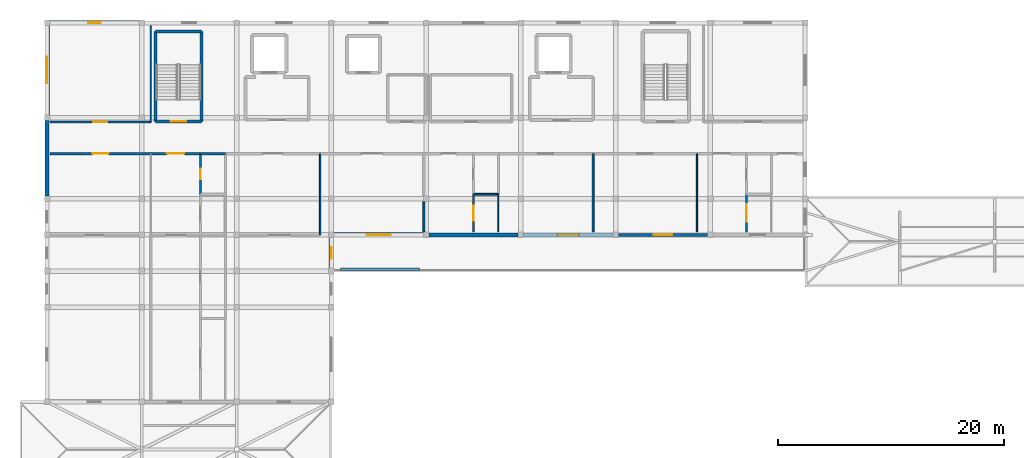
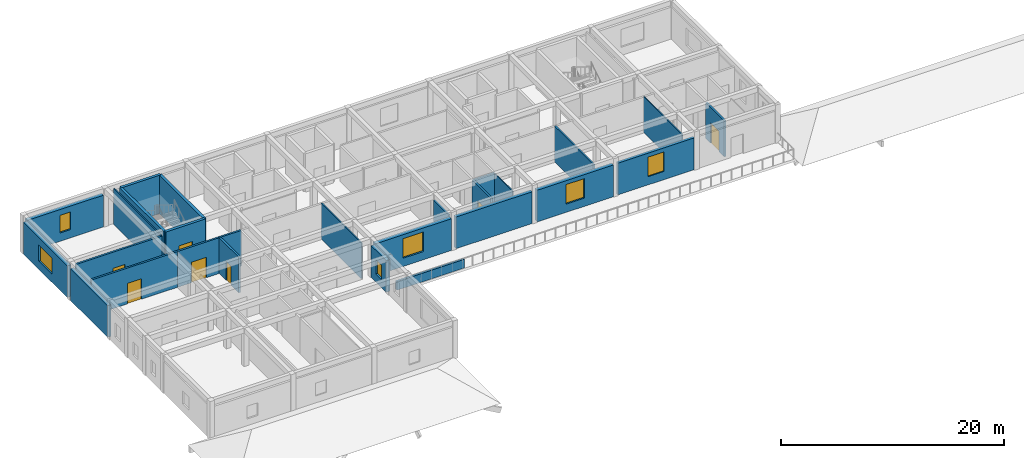
# One storey, part 11 of 26: 27 walls, 7 doors, 6 windows, 13 openings.
"""IFC4 building model written with IfcOpenShell, lengths in metres."""

from ifc_helpers import new_model, si_unit, direction, frame, frame_2d, origin, place, context, subcontext, project, spatial, rectangle, extrude, material, layer, layer_set, type_object, element, fill, save


model = new_model("IFC4")

# Units and contexts
model_context = context("Model", 3, precision=1e-05, world=origin(), true_north=direction((0.0, 1.0)))
body_context = subcontext(model_context, "Body", "Model", "MODEL_VIEW")
ifc_project = project(units=[si_unit("LENGTHUNIT", "METRE"), si_unit("AREAUNIT", "SQUARE_METRE"), si_unit("VOLUMEUNIT", "CUBIC_METRE"), si_unit("PLANEANGLEUNIT", "RADIAN"), si_unit("MASSUNIT", "GRAM", prefix="KILO")], contexts=[model_context])

# Site, building, storey
site_placement = place(None, origin())
site = spatial("IfcSite", under=ifc_project, at=site_placement, CompositionType="ELEMENT")
building_placement = place(site_placement, origin())
building = spatial("IfcBuilding", under=site, at=building_placement, Name="Varncliffe General Hospital", CompositionType="ELEMENT")
storey_placement = place(building_placement, frame((0.0, 0.0, 28.800048828125)))
storey = spatial("IfcBuildingStorey", under=building, at=storey_placement, Name="L06", CompositionType="ELEMENT", Elevation=28.800048828125)

# Wall, opening, window
ifc_material_1 = material(Name="Precast concrete C40/50 with insulated cream lime-cement stucco", Category="concrete")
ifc_layer_1 = layer(ifc_material_1, 0.3798828125)
ifc_layer_set_1 = layer_set([ifc_layer_1], Name="Precast concrete C40/50 with insulated cream lime-cement stucco")
wall_type_1 = type_object("IfcWallType", Name="Exterior Insulated Stucco Wall EW26 (380mm)", PredefinedType="SOLIDWALL", material=ifc_layer_set_1)
wall_1_placement = place(storey_placement, frame((0.248046875, 124.800048828125, 0.0), z_axis=(0.0, 0.0, 1.0), x_axis=(1.0, 0.0, 0.0)))
wall_1 = element("IfcWall", 1, at=wall_1_placement, inside=storey, type_object=wall_type_1, Name="L06 Exterior Stucco Wall EW26-484", PredefinedType="SOLIDWALL", context=body_context, shape_type="SweptSolid", body=[
    extrude(rectangle(XDim=7.904052734375, YDim=0.3798828125, at=frame_2d((3.9521484375, 0.0))), origin(), (0.0, 0.0, 1.0), 3.47998046875),
])
opening_1_placement = place(wall_1_placement, frame((3.402099609375, 0.0, 0.89990234375)))
opening_1 = element("IfcOpeningElement", 2, at=opening_1_placement, cuts=wall_1, Name="Opening WN41", PredefinedType="OPENING", context=body_context, shape_type="SweptSolid", body=[
    extrude(rectangle(XDim=1.10009765625, YDim=1.949951171875, at=frame_2d((0.550048828125, 0.97509765625))), frame((0.0, 0.199951171875, 0.0), z_axis=(0.0, -1.0, 0.0), x_axis=(1.0, 0.0, 0.0)), (0.0, 0.0, 1.0), 0.39990234375),
])
ifc_material_2 = material(Name="Triple low-E argon insulated vision glazing", Category="glass")
window_type_1 = type_object("IfcWindowType", Name="Triple-Glazed Hospital Window WN41 (1100x1950)", PartitioningType="SINGLE_PANEL", PredefinedType="WINDOW", material=ifc_material_2)
window_1_placement = place(opening_1_placement, origin())
window_1 = element("IfcWindow", 3, at=window_1_placement, inside=storey, type_object=window_type_1, Name="L06 Hospital Window WN41-376", OverallHeight=1.949951171875, OverallWidth=1.10009765625, PartitioningType="SINGLE_PANEL", PredefinedType="WINDOW", context=body_context, shape_type="SweptSolid", body=[
    extrude(rectangle(XDim=1.10009765625, YDim=1.949951171875, at=frame_2d((0.550048828125, 0.97509765625))), frame((0.0, 0.030029296875, 0.0), z_axis=(0.0, -1.0, 0.0), x_axis=(1.0, 0.0, 0.0)), (0.0, 0.0, 1.0), 0.06005859375),
])
fill(opening_1, window_1)

wall_2_placement = place(storey_placement, frame((50.152099609375, 106.0, 0.0), z_axis=(0.0, 0.0, 1.0), x_axis=(-1.0, 0.0, 0.0)))
wall_2 = element("IfcWall", 4, at=wall_2_placement, inside=storey, type_object=wall_type_1, Name="L06 Exterior Stucco Wall EW26-497", PredefinedType="SOLIDWALL", context=body_context, shape_type="SweptSolid", body=[
    extrude(rectangle(XDim=7.904052734375, YDim=0.3798828125, at=frame_2d((3.9521484375, 0.0))), origin(), (0.0, 0.0, 1.0), 3.47998046875),
])
opening_2_placement = place(wall_2_placement, frame((3.001953125, 0.0, 0.89990234375)))
opening_2 = element("IfcOpeningElement", 5, at=opening_2_placement, cuts=wall_2, Name="Opening WN15", PredefinedType="OPENING", context=body_context, shape_type="SweptSolid", body=[
    extrude(rectangle(XDim=1.89990234375, YDim=2.14990234375, at=frame_2d((0.949951171875, 1.074951171875))), frame((0.0, 0.199951171875, 0.0), z_axis=(0.0, -1.0, 0.0), x_axis=(1.0, 0.0, 0.0)), (0.0, 0.0, 1.0), 0.39990234375),
])
window_type_2 = type_object("IfcWindowType", Name="Triple-Glazed Hospital Window WN15 (1900x2150)", PartitioningType="DOUBLE_PANEL_VERTICAL", PredefinedType="WINDOW", material=ifc_material_2)
window_2_placement = place(opening_2_placement, origin())
window_2 = element("IfcWindow", 6, at=window_2_placement, inside=storey, type_object=window_type_2, Name="L06 Hospital Window WN15-388", OverallHeight=2.14990234375, OverallWidth=1.89990234375, PartitioningType="DOUBLE_PANEL_VERTICAL", PredefinedType="WINDOW", context=body_context, shape_type="SweptSolid", body=[
    extrude(rectangle(XDim=1.89990234375, YDim=2.14990234375, at=frame_2d((0.949951171875, 1.074951171875))), frame((0.0, 0.030029296875, 0.0), z_axis=(0.0, -1.0, 0.0), x_axis=(1.0, 0.0, 0.0)), (0.0, 0.0, 1.0), 0.06005859375),
])
fill(opening_2, window_2)

wall_3_placement = place(storey_placement, frame((25.199951171875, 105.751953125, 0.0), z_axis=(0.0, 0.0, 1.0), x_axis=(0.0, -1.0, 0.0)))
wall_3 = element("IfcWall", 7, at=wall_3_placement, inside=storey, type_object=wall_type_1, Name="L06 Exterior Stucco Wall EW26-500", PredefinedType="SOLIDWALL", context=body_context, shape_type="SweptSolid", body=[
    extrude(rectangle(XDim=2.703857421875, YDim=0.3798828125, at=frame_2d((1.35205078125, 0.0))), origin(), (0.0, 0.0, 1.0), 3.47998046875),
])
opening_3_placement = place(wall_3_placement, frame((0.85205078125, 0.0, 0.89990234375)))
opening_3 = element("IfcOpeningElement", 8, at=opening_3_placement, cuts=wall_3, Name="Opening WN21", PredefinedType="OPENING", context=body_context, shape_type="SweptSolid", body=[
    extrude(rectangle(XDim=1.0, YDim=1.550048828125, at=frame_2d((0.5, 0.77490234375))), frame((0.0, 0.199951171875, 0.0), z_axis=(0.0, -1.0, 0.0), x_axis=(1.0, 0.0, 0.0)), (0.0, 0.0, 1.0), 0.39990234375),
])
window_type_3 = type_object("IfcWindowType", Name="Triple-Glazed Hospital Window WN21 (1000x1550)", PartitioningType="SINGLE_PANEL", PredefinedType="WINDOW", material=ifc_material_2)
window_3_placement = place(opening_3_placement, origin())
window_3 = element("IfcWindow", 9, at=window_3_placement, inside=storey, type_object=window_type_3, Name="L06 Hospital Window WN21-390", OverallHeight=1.550048828125, OverallWidth=1.0, PartitioningType="SINGLE_PANEL", PredefinedType="WINDOW", context=body_context, shape_type="SweptSolid", body=[
    extrude(rectangle(XDim=1.0, YDim=1.550048828125, at=frame_2d((0.5, 0.77490234375))), frame((0.0, 0.030029296875, 0.0), z_axis=(0.0, -1.0, 0.0), x_axis=(1.0, 0.0, 0.0)), (0.0, 0.0, 1.0), 0.06005859375),
])
fill(opening_3, window_3)

ifc_layer_2 = layer(ifc_material_1, 0.2900390625)
ifc_layer_set_2 = layer_set([ifc_layer_2], Name="Precast concrete C40/50 with insulated cream lime-cement stucco")
wall_type_2 = type_object("IfcWallType", Name="Exterior Insulated Stucco Wall EW31 (290mm)", PredefinedType="SOLIDWALL", material=ifc_layer_set_2)
wall_4_placement = place(storey_placement, frame((58.552001953125, 106.0, 0.0), z_axis=(0.0, 0.0, 1.0), x_axis=(-1.0, 0.0, 0.0)))
wall_4 = element("IfcWall", 10, at=wall_4_placement, inside=storey, type_object=wall_type_2, Name="L06 Exterior Stucco Wall EW31-496", PredefinedType="SOLIDWALL", context=body_context, shape_type="SweptSolid", body=[
    extrude(rectangle(XDim=7.904052734375, YDim=0.2900390625, at=frame_2d((3.9521484375, 0.0))), origin(), (0.0, 0.0, 1.0), 3.47998046875),
])
opening_4_placement = place(wall_4_placement, frame((3.126953125, 0.0, 0.89990234375)))
opening_4 = element("IfcOpeningElement", 11, at=opening_4_placement, cuts=wall_4, Name="Opening WN42", PredefinedType="OPENING", context=body_context, shape_type="SweptSolid", body=[
    extrude(rectangle(XDim=1.64990234375, YDim=2.14990234375, at=frame_2d((0.824951171875, 1.074951171875))), frame((0.0, 0.155029296875, 0.0), z_axis=(0.0, -1.0, 0.0), x_axis=(1.0, 0.0, 0.0)), (0.0, 0.0, 1.0), 0.31005859375),
])
window_type_4 = type_object("IfcWindowType", Name="Triple-Glazed Hospital Window WN42 (1650x2150)", PartitioningType="DOUBLE_PANEL_VERTICAL", PredefinedType="WINDOW", material=ifc_material_2)
window_4_placement = place(opening_4_placement, origin())
window_4 = element("IfcWindow", 12, at=window_4_placement, inside=storey, type_object=window_type_4, Name="L06 Hospital Window WN42-387", OverallHeight=2.14990234375, OverallWidth=1.64990234375, PartitioningType="DOUBLE_PANEL_VERTICAL", PredefinedType="WINDOW", context=body_context, shape_type="SweptSolid", body=[
    extrude(rectangle(XDim=1.64990234375, YDim=2.14990234375, at=frame_2d((0.824951171875, 1.074951171875))), frame((0.0, 0.030029296875, 0.0), z_axis=(0.0, -1.0, 0.0), x_axis=(1.0, 0.0, 0.0)), (0.0, 0.0, 1.0), 0.06005859375),
])
fill(opening_4, window_4)

# Walls
ifc_layer_3 = layer(ifc_material_1, 0.35009765625)
ifc_layer_set_3 = layer_set([ifc_layer_3], Name="Precast concrete C40/50 with insulated cream lime-cement stucco")
wall_type_3 = type_object("IfcWallType", Name="Exterior Insulated Stucco Wall EW37 (350mm)", PredefinedType="SOLIDWALL", material=ifc_layer_set_3)
wall_5_placement = place(storey_placement, frame((0.0, 109.447998046875, 0.0), z_axis=(0.0, 0.0, 1.0), x_axis=(0.0, 1.0, 0.0)))
element("IfcWall", 13, at=wall_5_placement, inside=storey, type_object=wall_type_3, Name="L06 Exterior Stucco Wall EW37-482", PredefinedType="SOLIDWALL", context=body_context, shape_type="SweptSolid", body=[
    extrude(rectangle(XDim=6.7041015625, YDim=0.35009765625, at=frame_2d((3.35205078125, 0.0))), origin(), (0.0, 0.0, 1.0), 3.47998046875),
])
wall_6_placement = place(storey_placement, frame((41.751953125, 106.0, 0.0), z_axis=(0.0, 0.0, 1.0), x_axis=(-1.0, 0.0, 0.0)))
element("IfcWall", 14, at=wall_6_placement, inside=storey, type_object=wall_type_3, Name="L06 Exterior Stucco Wall EW37-498", PredefinedType="SOLIDWALL", context=body_context, shape_type="SweptSolid", body=[
    extrude(rectangle(XDim=7.904052734375, YDim=0.35009765625, at=frame_2d((3.9521484375, 0.0))), origin(), (0.0, 0.0, 1.0), 3.47998046875),
])

# Wall, opening, window
ifc_layer_4 = layer(ifc_material_1, 0.39990234375)
ifc_layer_set_4 = layer_set([ifc_layer_4], Name="Precast concrete C40/50 with insulated cream lime-cement stucco")
wall_type_4 = type_object("IfcWallType", Name="Exterior Insulated Stucco Wall EW47 (400mm)", PredefinedType="SOLIDWALL", material=ifc_layer_set_4)
wall_7_placement = place(storey_placement, frame((0.0, 116.64794921875, 0.0), z_axis=(0.0, 0.0, 1.0), x_axis=(0.0, 1.0, 0.0)))
wall_7 = element("IfcWall", 15, at=wall_7_placement, inside=storey, type_object=wall_type_4, Name="L06 Exterior Stucco Wall EW47-483", PredefinedType="SOLIDWALL", context=body_context, shape_type="SweptSolid", body=[
    extrude(rectangle(XDim=7.904052734375, YDim=0.39990234375, at=frame_2d((3.9521484375, 0.0))), origin(), (0.0, 0.0, 1.0), 3.47998046875),
])
opening_5_placement = place(wall_7_placement, frame((2.777099609375, 0.0, 0.89990234375)))
opening_5 = element("IfcOpeningElement", 16, at=opening_5_placement, cuts=wall_7, Name="Opening WN31", PredefinedType="OPENING", context=body_context, shape_type="SweptSolid", body=[
    extrude(rectangle(XDim=2.35009765625, YDim=1.75, at=frame_2d((1.175048828125, 0.875))), frame((0.0, 0.2099609375, 0.0), z_axis=(0.0, -1.0, 0.0), x_axis=(1.0, 0.0, 0.0)), (0.0, 0.0, 1.0), 0.419921875),
])
window_type_5 = type_object("IfcWindowType", Name="Triple-Glazed Hospital Window WN31 (2350x1750)", PartitioningType="DOUBLE_PANEL_VERTICAL", PredefinedType="WINDOW", material=ifc_material_2)
window_5_placement = place(opening_5_placement, origin())
window_5 = element("IfcWindow", 17, at=window_5_placement, inside=storey, type_object=window_type_5, Name="L06 Hospital Window WN31-375", OverallHeight=1.75, OverallWidth=2.35009765625, PartitioningType="DOUBLE_PANEL_VERTICAL", PredefinedType="WINDOW", context=body_context, shape_type="SweptSolid", body=[
    extrude(rectangle(XDim=2.35009765625, YDim=1.75, at=frame_2d((1.175048828125, 0.875))), frame((0.0, 0.030029296875, 0.0), z_axis=(0.0, -1.0, 0.0), x_axis=(1.0, 0.0, 0.0)), (0.0, 0.0, 1.0), 0.06005859375),
])
fill(opening_5, window_5)

wall_8_placement = place(storey_placement, frame((33.35205078125, 106.0, 0.0), z_axis=(0.0, 0.0, 1.0), x_axis=(-1.0, 0.0, 0.0)))
wall_8 = element("IfcWall", 18, at=wall_8_placement, inside=storey, type_object=wall_type_4, Name="L06 Exterior Stucco Wall EW47-499", PredefinedType="SOLIDWALL", context=body_context, shape_type="SweptSolid", body=[
    extrude(rectangle(XDim=7.904052734375, YDim=0.39990234375, at=frame_2d((3.9521484375, 0.0))), origin(), (0.0, 0.0, 1.0), 3.47998046875),
])
opening_6_placement = place(wall_8_placement, frame((2.876953125, 0.0, 0.89990234375)))
opening_6 = element("IfcOpeningElement", 19, at=opening_6_placement, cuts=wall_8, Name="Opening WN57", PredefinedType="OPENING", context=body_context, shape_type="SweptSolid", body=[
    extrude(rectangle(XDim=2.14990234375, YDim=2.14990234375, at=frame_2d((1.074951171875, 1.074951171875))), frame((0.0, 0.2099609375, 0.0), z_axis=(0.0, -1.0, 0.0), x_axis=(1.0, 0.0, 0.0)), (0.0, 0.0, 1.0), 0.419921875),
])
window_type_6 = type_object("IfcWindowType", Name="Triple-Glazed Hospital Window WN57 (2150x2150)", PartitioningType="DOUBLE_PANEL_VERTICAL", PredefinedType="WINDOW", material=ifc_material_2)
window_6_placement = place(opening_6_placement, origin())
window_6 = element("IfcWindow", 20, at=window_6_placement, inside=storey, type_object=window_type_6, Name="L06 Hospital Window WN57-389", OverallHeight=2.14990234375, OverallWidth=2.14990234375, PartitioningType="DOUBLE_PANEL_VERTICAL", PredefinedType="WINDOW", context=body_context, shape_type="SweptSolid", body=[
    extrude(rectangle(XDim=2.14990234375, YDim=2.14990234375, at=frame_2d((1.074951171875, 1.074951171875))), frame((0.0, 0.030029296875, 0.0), z_axis=(0.0, -1.0, 0.0), x_axis=(1.0, 0.0, 0.0)), (0.0, 0.0, 1.0), 0.06005859375),
])
fill(opening_6, window_6)

# Walls
ifc_material_3 = material(Name="Acoustic clinical gypsum stud partition assembly", Category="gypsum")
ifc_layer_5 = layer(ifc_material_3, 0.1298828125)
ifc_layer_set_5 = layer_set([ifc_layer_5], Name="Acoustic clinical gypsum stud partition assembly")
wall_type_5 = type_object("IfcWallType", Name="Interior Partitioning IW11 (130mm)", PredefinedType="PARTITIONING", material=ifc_layer_set_5)
wall_9_placement = place(storey_placement, frame((24.199951171875, 106.0, 0.0), z_axis=(0.0, 0.0, 1.0), x_axis=(0.0, 1.0, 0.0)))
element("IfcWall", 21, at=wall_9_placement, inside=storey, type_object=wall_type_5, Name="L06 Interior Partition Wall IW11-2273", PredefinedType="PARTITIONING", context=body_context, shape_type="SweptSolid", body=[
    extrude(rectangle(XDim=7.199951171875, YDim=0.1298828125, at=frame_2d((3.60009765625, 0.0))), origin(), (0.0, 0.0, 1.0), 3.919921875),
])
ifc_layer_6 = layer(ifc_material_3, 0.169921875)
ifc_layer_set_6 = layer_set([ifc_layer_6], Name="Acoustic clinical gypsum stud partition assembly")
wall_type_6 = type_object("IfcWallType", Name="Interior Partitioning IW20 (170mm)", PredefinedType="PARTITIONING", material=ifc_layer_set_6)
wall_10_placement = place(storey_placement, frame((33.39990234375, 106.264892578125, 0.0), z_axis=(0.0, 0.0, 1.0), x_axis=(0.0, 1.0, 0.0)))
element("IfcWall", 22, at=wall_10_placement, inside=storey, type_object=wall_type_6, Name="L06 Interior Partition Wall IW20-2276", PredefinedType="PARTITIONING", context=body_context, shape_type="SweptSolid", body=[
    extrude(rectangle(XDim=2.670166015625, YDim=0.169921875, at=frame_2d((1.3349609375, 0.0))), origin(), (0.0, 0.0, 1.0), 3.635009765625),
])
wall_11_placement = place(storey_placement, frame((48.39990234375, 106.260009765625, 0.0), z_axis=(0.0, 0.0, 1.0), x_axis=(0.0, 1.0, 0.0)))
element("IfcWall", 23, at=wall_11_placement, inside=storey, type_object=wall_type_6, Name="L06 Interior Partition Wall IW20-2285", PredefinedType="PARTITIONING", context=body_context, shape_type="SweptSolid", body=[
    extrude(rectangle(XDim=6.93994140625, YDim=0.169921875, at=frame_2d((3.469970703125, 0.0))), origin(), (0.0, 0.0, 1.0), 3.919921875),
])
ifc_layer_7 = layer(ifc_material_3, 0.090087890625)
ifc_layer_set_7 = layer_set([ifc_layer_7], Name="Acoustic clinical gypsum stud partition assembly")
wall_type_7 = type_object("IfcWallType", Name="Interior Partitioning IW42 (90mm)", PredefinedType="PARTITIONING", material=ifc_layer_set_7)
wall_12_placement = place(storey_placement, frame((40.0, 106.260009765625, 0.0), z_axis=(0.0, 0.0, 1.0), x_axis=(0.0, 1.0, 0.0)))
element("IfcWall", 24, at=wall_12_placement, inside=storey, type_object=wall_type_7, Name="L06 Interior Partition Wall IW42-2281", PredefinedType="PARTITIONING", context=body_context, shape_type="SweptSolid", body=[
    extrude(rectangle(XDim=3.340087890625, YDim=0.090087890625, at=frame_2d((1.669921875, 0.0))), origin(), (0.0, 0.0, 1.0), 3.919921875),
])
ifc_layer_8 = layer(ifc_material_3, 0.110107421875)
ifc_layer_set_8 = layer_set([ifc_layer_8], Name="Acoustic clinical gypsum stud partition assembly")
wall_type_8 = type_object("IfcWallType", Name="Interior Partitioning IW65 (110mm)", PredefinedType="PARTITIONING", material=ifc_layer_set_8)
wall_13_placement = place(storey_placement, frame((9.199951171875, 116.0, 0.0), z_axis=(0.0, 0.0, 1.0), x_axis=(0.0, 1.0, 0.0)))
element("IfcWall", 25, at=wall_13_placement, inside=storey, type_object=wall_type_8, Name="L06 Interior Partition Wall IW65-2262", PredefinedType="PARTITIONING", context=body_context, shape_type="SweptSolid", body=[
    extrude(rectangle(XDim=8.5400390625, YDim=0.110107421875, at=frame_2d((4.27001953125, 0.0))), origin(), (0.0, 0.0, 1.0), 3.919921875),
])
wall_14_placement = place(storey_placement, frame((57.60009765625, 106.260009765625, 0.0), z_axis=(0.0, 0.0, 1.0), x_axis=(0.0, 1.0, 0.0)))
element("IfcWall", 26, at=wall_14_placement, inside=storey, type_object=wall_type_8, Name="L06 Interior Partition Wall IW65-2287", PredefinedType="PARTITIONING", context=body_context, shape_type="SweptSolid", body=[
    extrude(rectangle(XDim=6.93994140625, YDim=0.110107421875, at=frame_2d((3.469970703125, 0.0))), origin(), (0.0, 0.0, 1.0), 3.919921875),
])

# Wall, opening, door
ifc_material_4 = material(Name="Fire-rated gypsum and mineral-wool partition assembly", Category="gypsum")
ifc_layer_9 = layer(ifc_material_4, 0.199951171875)
ifc_layer_set_9 = layer_set([ifc_layer_9], Name="Fire-rated gypsum and mineral-wool partition assembly")
wall_type_9 = type_object("IfcWallType", Name="Interior Partitioning PW63 (200mm)", PredefinedType="PARTITIONING", material=ifc_layer_set_9)
wall_15_placement = place(storey_placement, frame((0.260009765625, 113.199951171875, 0.0), z_axis=(0.0, 0.0, 1.0), x_axis=(1.0, 0.0, 0.0)))
wall_15 = element("IfcWall", 27, at=wall_15_placement, inside=storey, type_object=wall_type_9, Name="L06 Interior Partition Wall PW63-2212", PredefinedType="PARTITIONING", context=body_context, shape_type="SweptSolid", body=[
    extrude(rectangle(XDim=8.93994140625, YDim=0.199951171875, at=frame_2d((4.469970703125, 0.0))), origin(), (0.0, 0.0, 1.0), 3.919921875),
])
opening_7_placement = place(wall_15_placement, frame((3.7451171875, 0.0, 0.0)))
opening_7 = element("IfcOpeningElement", 28, at=opening_7_placement, cuts=wall_15, Name="Opening DC66", PredefinedType="OPENING", context=body_context, shape_type="SweptSolid", body=[
    extrude(rectangle(XDim=1.449951171875, YDim=2.25, at=frame_2d((0.72509765625, 1.125))), frame((0.0, 0.10986328125, 0.0), z_axis=(0.0, -1.0, 0.0), x_axis=(1.0, 0.0, 0.0)), (0.0, 0.0, 1.0), 0.219970703125),
])
ifc_material_5 = material(Name="Fire-rated hospital steel-frame vision-panel door", Category="steel")
door_type_1 = type_object("IfcDoorType", Name="Interior Hospital Door DC66 (1450x2250)", OperationType="NOTDEFINED", PredefinedType="DOOR", material=ifc_material_5)
door_1_placement = place(opening_7_placement, frame((1.449951171875, 0.0, 0.0), z_axis=(0.0, 0.0, 1.0), x_axis=(-1.0, 0.0, 0.0)))
door_1 = element("IfcDoor", 29, at=door_1_placement, inside=storey, type_object=door_type_1, Name="L06 Neonatal Intensive Care Nursery NICU 17 Door", OperationType="SINGLE_SWING_LEFT", OverallHeight=2.25, OverallWidth=1.449951171875, PredefinedType="DOOR", context=body_context, shape_type="SweptSolid", body=[
    extrude(rectangle(XDim=1.449951171875, YDim=2.25, at=frame_2d((0.72509765625, 1.125))), frame((0.0, 0.02490234375, 0.0), z_axis=(0.0, -1.0, 0.0), x_axis=(1.0, 0.0, 0.0)), (0.0, 0.0, 1.0), 0.050048828125),
])
fill(opening_7, door_1)

wall_16_placement = place(storey_placement, frame((9.199951171875, 113.199951171875, 0.0), z_axis=(0.0, 0.0, 1.0), x_axis=(1.0, 0.0, 0.0)))
wall_16 = element("IfcWall", 30, at=wall_16_placement, inside=storey, type_object=wall_type_9, Name="L06 Interior Partition Wall PW63-2213", PredefinedType="PARTITIONING", context=body_context, shape_type="SweptSolid", body=[
    extrude(rectangle(XDim=4.400146484375, YDim=0.199951171875, at=frame_2d((2.2001953125, 0.0))), origin(), (0.0, 0.0, 1.0), 3.919921875),
])
opening_8_placement = place(wall_16_placement, frame((1.425048828125, 0.0, 0.0)))
opening_8 = element("IfcOpeningElement", 31, at=opening_8_placement, cuts=wall_16, Name="Opening DC67", PredefinedType="OPENING", context=body_context, shape_type="SweptSolid", body=[
    extrude(rectangle(XDim=1.550048828125, YDim=2.25, at=frame_2d((0.77490234375, 1.125))), frame((0.0, 0.10986328125, 0.0), z_axis=(0.0, -1.0, 0.0), x_axis=(1.0, 0.0, 0.0)), (0.0, 0.0, 1.0), 0.219970703125),
])
door_type_2 = type_object("IfcDoorType", Name="Interior Hospital Door DC67 (1550x2250)", OperationType="NOTDEFINED", PredefinedType="DOOR", material=ifc_material_5)
door_2_placement = place(opening_8_placement, frame((1.550048828125, 0.0, 0.0), z_axis=(0.0, 0.0, 1.0), x_axis=(-1.0, 0.0, 0.0)))
door_2 = element("IfcDoor", 32, at=door_2_placement, inside=storey, type_object=door_type_2, Name="L06 Paediatric Inpatient Bedroom 18 Door", OperationType="SINGLE_SWING_RIGHT", OverallHeight=2.25, OverallWidth=1.550048828125, PredefinedType="DOOR", context=body_context, shape_type="SweptSolid", body=[
    extrude(rectangle(XDim=1.550048828125, YDim=2.25, at=frame_2d((0.77490234375, 1.125))), frame((0.0, 0.02490234375, 0.0), z_axis=(0.0, -1.0, 0.0), x_axis=(1.0, 0.0, 0.0)), (0.0, 0.0, 1.0), 0.050048828125),
])
fill(opening_8, door_2)

wall_17_placement = place(storey_placement, frame((0.260009765625, 116.0, 0.0), z_axis=(0.0, 0.0, 1.0), x_axis=(1.0, 0.0, 0.0)))
wall_17 = element("IfcWall", 33, at=wall_17_placement, inside=storey, type_object=wall_type_9, Name="L06 Interior Partition Wall PW63-2236", PredefinedType="PARTITIONING", context=body_context, shape_type="SweptSolid", body=[
    extrude(rectangle(XDim=8.93994140625, YDim=0.199951171875, at=frame_2d((4.469970703125, 0.0))), origin(), (0.0, 0.0, 1.0), 3.919921875),
])
opening_9_placement = place(wall_17_placement, frame((3.844970703125, 0.0, 0.0)))
opening_9 = element("IfcOpeningElement", 34, at=opening_9_placement, cuts=wall_17, Name="Opening DC44", PredefinedType="OPENING", context=body_context, shape_type="SweptSolid", body=[
    extrude(rectangle(XDim=1.25, YDim=2.14990234375, at=frame_2d((0.625, 1.074951171875))), frame((0.0, 0.10986328125, 0.0), z_axis=(0.0, -1.0, 0.0), x_axis=(1.0, 0.0, 0.0)), (0.0, 0.0, 1.0), 0.219970703125),
])
door_type_3 = type_object("IfcDoorType", Name="Interior Hospital Door DC44 (1250x2150)", OperationType="NOTDEFINED", PredefinedType="DOOR", material=ifc_material_5)
door_3_placement = place(opening_9_placement, origin())
door_3 = element("IfcDoor", 35, at=door_3_placement, inside=storey, type_object=door_type_3, Name="L06 Neonatal Intensive Care Nursery NICU 47 Door", OperationType="SINGLE_SWING_LEFT", OverallHeight=2.14990234375, OverallWidth=1.25, PredefinedType="DOOR", context=body_context, shape_type="SweptSolid", body=[
    extrude(rectangle(XDim=1.25, YDim=2.14990234375, at=frame_2d((0.625, 1.074951171875))), frame((0.0, 0.02490234375, 0.0), z_axis=(0.0, -1.0, 0.0), x_axis=(1.0, 0.0, 0.0)), (0.0, 0.0, 1.0), 0.050048828125),
])
fill(opening_9, door_3)

wall_18_placement = place(storey_placement, frame((13.60009765625, 109.60009765625, 0.0), z_axis=(0.0, 0.0, 1.0), x_axis=(0.0, 1.0, 0.0)))
wall_18 = element("IfcWall", 36, at=wall_18_placement, inside=storey, type_object=wall_type_9, Name="L06 Interior Partition Wall PW63-2266", PredefinedType="PARTITIONING", context=body_context, shape_type="SweptSolid", body=[
    extrude(rectangle(XDim=3.599853515625, YDim=0.199951171875, at=frame_2d((1.7998046875, 0.0))), origin(), (0.0, 0.0, 1.0), 3.919921875),
])
opening_10_placement = place(wall_18_placement, frame((1.340087890625, 0.0, 0.0)))
opening_10 = element("IfcOpeningElement", 37, at=opening_10_placement, cuts=wall_18, Name="Opening DI70", PredefinedType="OPENING", context=body_context, shape_type="SweptSolid", body=[
    extrude(rectangle(XDim=0.919921875, YDim=2.10009765625, at=frame_2d((0.4599609375, 1.050048828125))), frame((0.0, 0.10986328125, 0.0), z_axis=(0.0, -1.0, 0.0), x_axis=(1.0, 0.0, 0.0)), (0.0, 0.0, 1.0), 0.219970703125),
])
ifc_material_6 = material(Name="Solid-core antimicrobial hospital oak veneer door", Category="wood")
door_type_4 = type_object("IfcDoorType", Name="Interior Hospital Door DI70 (920x2100)", OperationType="NOTDEFINED", PredefinedType="DOOR", material=ifc_material_6)
door_4_placement = place(opening_10_placement, frame((0.919921875, 0.0, 0.0), z_axis=(0.0, 0.0, 1.0), x_axis=(-1.0, 0.0, 0.0)))
door_4 = element("IfcDoor", 38, at=door_4_placement, inside=storey, type_object=door_type_4, Name="L06 En-Suite Bathroom 19 Door", OperationType="SINGLE_SWING_RIGHT", OverallHeight=2.10009765625, OverallWidth=0.919921875, PredefinedType="DOOR", context=body_context, shape_type="SweptSolid", body=[
    extrude(rectangle(XDim=0.919921875, YDim=2.10009765625, at=frame_2d((0.4599609375, 1.050048828125))), frame((0.0, 0.02490234375, 0.0), z_axis=(0.0, -1.0, 0.0), x_axis=(1.0, 0.0, 0.0)), (0.0, 0.0, 1.0), 0.050048828125),
])
fill(opening_10, door_4)

wall_19_placement = place(storey_placement, frame((37.800048828125, 106.260009765625, 0.0), z_axis=(0.0, 0.0, 1.0), x_axis=(0.0, 1.0, 0.0)))
wall_19 = element("IfcWall", 39, at=wall_19_placement, inside=storey, type_object=wall_type_9, Name="L06 Interior Partition Wall PW63-2279", PredefinedType="PARTITIONING", context=body_context, shape_type="SweptSolid", body=[
    extrude(rectangle(XDim=3.340087890625, YDim=0.199951171875, at=frame_2d((1.669921875, 0.0))), origin(), (0.0, 0.0, 1.0), 3.919921875),
])
opening_11_placement = place(wall_19_placement, frame((0.9951171875, 0.0, 0.0)))
opening_11 = element("IfcOpeningElement", 40, at=opening_11_placement, cuts=wall_19, Name="Opening DC85", PredefinedType="OPENING", context=body_context, shape_type="SweptSolid", body=[
    extrude(rectangle(XDim=1.35009765625, YDim=2.199951171875, at=frame_2d((0.675048828125, 1.10009765625))), frame((0.0, 0.10986328125, 0.0), z_axis=(0.0, -1.0, 0.0), x_axis=(1.0, 0.0, 0.0)), (0.0, 0.0, 1.0), 0.219970703125),
])
door_type_5 = type_object("IfcDoorType", Name="Interior Hospital Door DC85 (1350x2200)", OperationType="NOTDEFINED", PredefinedType="DOOR", material=ifc_material_5)
door_5_placement = place(opening_11_placement, frame((1.35009765625, 0.0, 0.0), z_axis=(0.0, 0.0, 1.0), x_axis=(-1.0, 0.0, 0.0)))
door_5 = element("IfcDoor", 41, at=door_5_placement, inside=storey, type_object=door_type_5, Name="L06 Patient Medication and Hygiene Bay 25 Door", OperationType="SINGLE_SWING_LEFT", OverallHeight=2.199951171875, OverallWidth=1.35009765625, PredefinedType="DOOR", context=body_context, shape_type="SweptSolid", body=[
    extrude(rectangle(XDim=1.35009765625, YDim=2.199951171875, at=frame_2d((0.675048828125, 1.10009765625))), frame((0.0, 0.02490234375, 0.0), z_axis=(0.0, -1.0, 0.0), x_axis=(1.0, 0.0, 0.0)), (0.0, 0.0, 1.0), 0.050048828125),
])
fill(opening_11, door_5)

wall_20_placement = place(storey_placement, frame((62.0, 106.260009765625, 0.0), z_axis=(0.0, 0.0, 1.0), x_axis=(0.0, 1.0, 0.0)))
wall_20 = element("IfcWall", 42, at=wall_20_placement, inside=storey, type_object=wall_type_9, Name="L06 Interior Partition Wall PW63-2289", PredefinedType="PARTITIONING", context=body_context, shape_type="SweptSolid", body=[
    extrude(rectangle(XDim=3.340087890625, YDim=0.199951171875, at=frame_2d((1.669921875, 0.0))), origin(), (0.0, 0.0, 1.0), 3.919921875),
])
opening_12_placement = place(wall_20_placement, frame((0.89501953125, 0.0, 0.0)))
opening_12 = element("IfcOpeningElement", 43, at=opening_12_placement, cuts=wall_20, Name="Opening DC67", PredefinedType="OPENING", context=body_context, shape_type="SweptSolid", body=[
    extrude(rectangle(XDim=1.550048828125, YDim=2.25, at=frame_2d((0.77490234375, 1.125))), frame((0.0, 0.10986328125, 0.0), z_axis=(0.0, -1.0, 0.0), x_axis=(1.0, 0.0, 0.0)), (0.0, 0.0, 1.0), 0.219970703125),
])
door_6_placement = place(opening_12_placement, frame((1.550048828125, 0.0, 0.0), z_axis=(0.0, 0.0, 1.0), x_axis=(-1.0, 0.0, 0.0)))
door_6 = element("IfcDoor", 44, at=door_6_placement, inside=storey, type_object=door_type_2, Name="L06 Patient Medication and Hygiene Bay 30 Door", OperationType="SINGLE_SWING_LEFT", OverallHeight=2.25, OverallWidth=1.550048828125, PredefinedType="DOOR", context=body_context, shape_type="SweptSolid", body=[
    extrude(rectangle(XDim=1.550048828125, YDim=2.25, at=frame_2d((0.77490234375, 1.125))), frame((0.0, 0.02490234375, 0.0), z_axis=(0.0, -1.0, 0.0), x_axis=(1.0, 0.0, 0.0)), (0.0, 0.0, 1.0), 0.050048828125),
])
fill(opening_12, door_6)

# Walls
ifc_material_7 = material(Name="Moisture-resistant plumbing chase wall assembly", Category="gypsum")
ifc_layer_10 = layer(ifc_material_7, 0.18994140625)
ifc_layer_set_10 = layer_set([ifc_layer_10], Name="Moisture-resistant plumbing chase wall assembly")
wall_type_10 = type_object("IfcWallType", Name="Interior Plumbingwall MW17 (190mm)", PredefinedType="PLUMBINGWALL", material=ifc_layer_set_10)
wall_21_placement = place(storey_placement, frame((13.60009765625, 113.199951171875, 0.0), z_axis=(0.0, 0.0, 1.0), x_axis=(1.0, 0.0, 0.0)))
element("IfcWall", 45, at=wall_21_placement, inside=storey, type_object=wall_type_10, Name="L06 Interior Plumbing Wall MW17-2214", PredefinedType="PLUMBINGWALL", context=body_context, shape_type="SweptSolid", body=[
    extrude(rectangle(XDim=2.199951171875, YDim=0.18994140625, at=frame_2d((1.10009765625, 0.0))), origin(), (0.0, 0.0, 1.0), 3.919921875),
])
ifc_layer_11 = layer(ifc_material_7, 0.159912109375)
ifc_layer_set_11 = layer_set([ifc_layer_11], Name="Moisture-resistant plumbing chase wall assembly")
wall_type_11 = type_object("IfcWallType", Name="Interior Plumbingwall MW31 (160mm)", PredefinedType="PLUMBINGWALL", material=ifc_layer_set_11)
wall_22_placement = place(storey_placement, frame((37.800048828125, 109.60009765625, 0.0), z_axis=(0.0, 0.0, 1.0), x_axis=(1.0, 0.0, 0.0)))
element("IfcWall", 46, at=wall_22_placement, inside=storey, type_object=wall_type_11, Name="L06 Interior Plumbing Wall MW31-2207", PredefinedType="PLUMBINGWALL", context=body_context, shape_type="SweptSolid", body=[
    extrude(rectangle(XDim=2.199951171875, YDim=0.159912109375, at=frame_2d((1.10009765625, 0.0))), origin(), (0.0, 0.0, 1.0), 3.919921875),
])
ifc_material_8 = material(Name="Concrete C40/50 (CSA A23.1 40 MPa)", Category="concrete")
ifc_layer_12 = layer(ifc_material_8, 0.280029296875)
ifc_layer_set_12 = layer_set([ifc_layer_12], Name="Concrete C40/50 (CSA A23.1 40 MPa)")
wall_type_12 = type_object("IfcWallType", Name="Reinforced Concrete Core Shear Wall CW13 (280mm)", PredefinedType="SHEAR", material=ifc_layer_set_12)
wall_23_placement = place(storey_placement, frame((13.68994140625, 116.06005859375, 0.0), z_axis=(0.0, 0.0, 1.0), x_axis=(0.0, 1.0, 0.0)))
element("IfcWall", 47, at=wall_23_placement, inside=storey, type_object=wall_type_12, Name="L06 ST01 Core Shear Wall L", PredefinedType="SHEAR", context=body_context, shape_type="SweptSolid", body=[
    extrude(rectangle(XDim=7.97998046875, YDim=0.280029296875, at=frame_2d((3.989990234375, 0.0))), origin(), (0.0, 0.0, 1.0), 4.199951171875),
])
wall_24_placement = place(storey_placement, frame((13.68994140625, 124.0400390625, 0.0), z_axis=(0.0, 0.0, 1.0), x_axis=(-1.0, 0.0, 0.0)))
element("IfcWall", 48, at=wall_24_placement, inside=storey, type_object=wall_type_12, Name="L06 ST01 Core Shear Wall F", PredefinedType="SHEAR", context=body_context, shape_type="SweptSolid", body=[
    extrude(rectangle(XDim=4.079833984375, YDim=0.280029296875, at=frame_2d((2.0400390625, 0.0))), origin(), (0.0, 0.0, 1.0), 4.199951171875),
])
wall_25_placement = place(storey_placement, frame((9.610107421875, 124.0400390625, 0.0), z_axis=(0.0, 0.0, 1.0), x_axis=(0.0, -1.0, 0.0)))
element("IfcWall", 49, at=wall_25_placement, inside=storey, type_object=wall_type_12, Name="L06 ST01 Core Shear Wall R", PredefinedType="SHEAR", context=body_context, shape_type="SweptSolid", body=[
    extrude(rectangle(XDim=7.97998046875, YDim=0.280029296875, at=frame_2d((3.989990234375, 0.0))), origin(), (0.0, 0.0, 1.0), 4.199951171875),
])

# Wall, opening, door
wall_26_placement = place(storey_placement, frame((9.610107421875, 116.06005859375, 0.0), z_axis=(0.0, 0.0, 1.0), x_axis=(1.0, 0.0, 0.0)))
wall_26 = element("IfcWall", 50, at=wall_26_placement, inside=storey, type_object=wall_type_12, Name="L06 ST01 Core Shear Wall N", PredefinedType="SHEAR", context=body_context, shape_type="SweptSolid", body=[
    extrude(rectangle(XDim=4.079833984375, YDim=0.280029296875, at=frame_2d((2.0400390625, 0.0))), origin(), (0.0, 0.0, 1.0), 4.199951171875),
])
opening_13_placement = place(wall_26_placement, frame((1.340087890625, 0.0, 0.0)))
opening_13 = element("IfcOpeningElement", 51, at=opening_13_placement, cuts=wall_26, Name="Opening DF81", PredefinedType="OPENING", context=body_context, shape_type="SweptSolid", body=[
    extrude(rectangle(XDim=1.39990234375, YDim=2.199951171875, at=frame_2d((0.699951171875, 1.10009765625))), frame((0.0, 0.14990234375, 0.0), z_axis=(0.0, -1.0, 0.0), x_axis=(1.0, 0.0, 0.0)), (0.0, 0.0, 1.0), 0.300048828125),
])
door_type_6 = type_object("IfcDoorType", Name="Interior Hospital Door DF81 (1400x2200)", OperationType="NOTDEFINED", PredefinedType="DOOR", material=ifc_material_5)
door_7_placement = place(opening_13_placement, frame((1.39990234375, 0.0, 0.0), z_axis=(0.0, 0.0, 1.0), x_axis=(-1.0, 0.0, 0.0)))
door_7 = element("IfcDoor", 52, at=door_7_placement, inside=storey, type_object=door_type_6, Name="L06 ST01 Protected Exit Stair Door", OperationType="SINGLE_SWING_RIGHT", OverallHeight=2.199951171875, OverallWidth=1.39990234375, PredefinedType="DOOR", context=body_context, shape_type="SweptSolid", body=[
    extrude(rectangle(XDim=1.39990234375, YDim=2.199951171875, at=frame_2d((0.699951171875, 1.10009765625))), frame((0.0, 0.02490234375, 0.0), z_axis=(0.0, -1.0, 0.0), x_axis=(1.0, 0.0, 0.0)), (0.0, 0.0, 1.0), 0.050048828125),
])
fill(opening_13, door_7)

# Wall
ifc_material_9 = material(Name="Precast concrete C40/50 parapet coping", Category="concrete")
ifc_layer_13 = layer(ifc_material_9, 0.2099609375)
ifc_layer_set_13 = layer_set([ifc_layer_13], Name="Precast concrete C40/50 parapet coping")
wall_type_13 = type_object("IfcWallType", Name="Terrace and Roof Parapet Wall PP32 (210mm)", PredefinedType="PARAPET", material=ifc_layer_set_13)
wall_27_placement = place(storey_placement, frame((26.0, 102.949951171875, 0.0), z_axis=(0.0, 0.0, 1.0), x_axis=(1.0, 0.0, 0.0)))
element("IfcWall", 53, at=wall_27_placement, inside=storey, type_object=wall_type_13, Name="L06 Masonry Parapet Coping Wall 5", PredefinedType="PARAPET", context=body_context, shape_type="SweptSolid", body=[
    extrude(rectangle(XDim=7.0, YDim=0.2099609375, at=frame_2d((3.5, 0.0))), origin(), (0.0, 0.0, 1.0), 0.949951171875),
])

save(model, "model.ifc")
